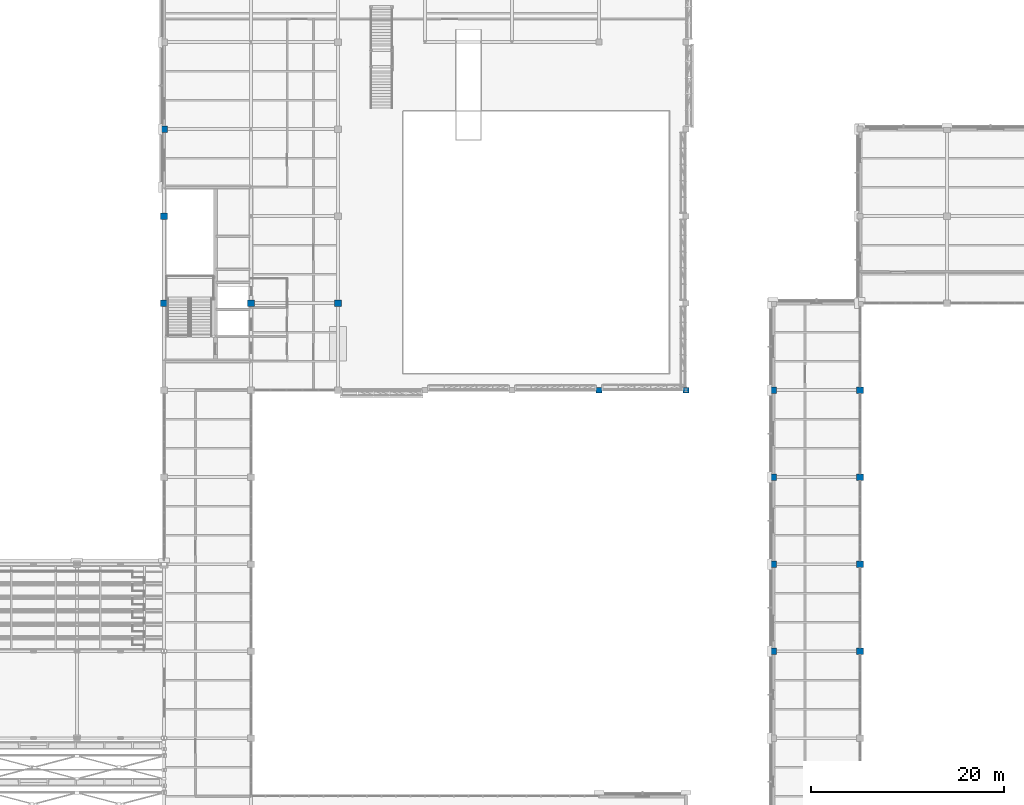
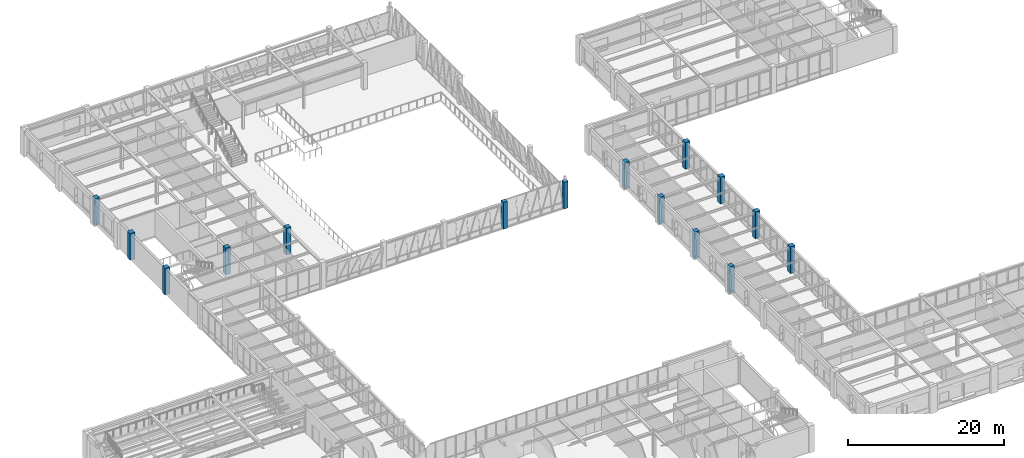
# One storey, part 7 of 108: 15 columns.
"""IFC4 building model written with IfcOpenShell, lengths in metres."""

from ifc_helpers import new_model, si_unit, direction, frame, origin, origin_2d, place, context, subcontext, project, spatial, rectangle, extrude, material, material_profile, profile_set, type_object, element, save


model = new_model("IFC4")

# Units and contexts
model_context = context("Model", 3, precision=1e-05, world=origin(), true_north=direction((0.0, 1.0)))
body_context = subcontext(model_context, "Body", "Model", "MODEL_VIEW")
ifc_project = project(units=[si_unit("LENGTHUNIT", "METRE"), si_unit("AREAUNIT", "SQUARE_METRE"), si_unit("VOLUMEUNIT", "CUBIC_METRE"), si_unit("PLANEANGLEUNIT", "RADIAN"), si_unit("MASSUNIT", "GRAM", prefix="KILO")], contexts=[model_context])

# Site, building, storey
site_placement = place(None, origin())
site = spatial("IfcSite", under=ifc_project, at=site_placement, CompositionType="ELEMENT")
building_placement = place(site_placement, origin())
building = spatial("IfcBuilding", under=site, at=building_placement, Name="Lykobir Media Centre", CompositionType="ELEMENT")
storey_placement = place(building_placement, frame((0.0, 0.0, 15.0)))
storey = spatial("IfcBuildingStorey", under=building, at=storey_placement, Name="L03", CompositionType="ELEMENT", Elevation=15.0)

# Columns
ifc_material = material(Name="Concrete C40/50", Category="concrete")
ifc_material_profile_1 = material_profile(ifc_material, rectangle(XDim=0.60009765625, YDim=0.60009765625, at=origin_2d()), Name="RC 600x600")
ifc_profile_set_1 = profile_set([ifc_material_profile_1], Name="Concrete C40/50")
column_type_1 = type_object("IfcColumnType", Name="RC-C600", PredefinedType="COLUMN", material=ifc_profile_set_1)
column_1_placement = place(storey_placement, frame((72.0, 63.0, 0.0), z_axis=(0.0, 0.0, 1.0), x_axis=(1.0, 0.0, 0.0)))
element("IfcColumn", 1, at=column_1_placement, inside=storey, type_object=column_type_1, Name="Column COL-L03-0720-0630", PredefinedType="COLUMN", context=body_context, shape_type="SweptSolid", body=[
    extrude(rectangle(XDim=0.60009765625, YDim=0.60009765625, at=origin_2d()), origin(), (0.0, 0.0, 1.0), 4.199951171875),
])
ifc_material_profile_2 = material_profile(ifc_material, rectangle(XDim=0.60009765625, YDim=0.60009765625, at=origin_2d()), Name="RC 600x600")
ifc_profile_set_2 = profile_set([ifc_material_profile_2], Name="Concrete C40/50")
column_type_2 = type_object("IfcColumnType", Name="RC-C600-E", PredefinedType="COLUMN", material=ifc_profile_set_2)
column_2_placement = place(storey_placement, frame((81.0, 63.0, 0.0), z_axis=(0.0, 0.0, 1.0), x_axis=(1.0, 0.0, 0.0)))
element("IfcColumn", 2, at=column_2_placement, inside=storey, type_object=column_type_2, Name="Column COL-L03-0810-0630", PredefinedType="COLUMN", context=body_context, shape_type="SweptSolid", body=[
    extrude(rectangle(XDim=0.60009765625, YDim=0.60009765625, at=origin_2d()), origin(), (0.0, 0.0, 1.0), 4.199951171875),
])
ifc_material_profile_3 = material_profile(ifc_material, rectangle(XDim=0.699951171875, YDim=0.699951171875, at=origin_2d()), Name="RC 700x700")
ifc_profile_set_3 = profile_set([ifc_material_profile_3], Name="Concrete C40/50")
column_type_3 = type_object("IfcColumnType", Name="RC-C700", PredefinedType="COLUMN", material=ifc_profile_set_3)
for number, where, z_axis, x_axis, name in (
    (3, (27.0, 72.0, 0.0), (0.0, 0.0, 1.0), (1.0, 0.0, 0.0), "Column COL-L03-0270-0720"),
    (4, (27.0, 81.0, 0.0), (0.0, 0.0, 1.0), (1.0, 0.0, 0.0), "Column COL-L03-0270-0810"),
    (5, (27.0, 90.0, 0.0), (0.0, 0.0, 1.0), (1.0, 0.0, 0.0), "Column COL-L03-0270-0900"),
    (6, (36.0, 72.0, 0.0), (0.0, 0.0, 1.0), (1.0, 0.0, 0.0), "Column COL-L03-0360-0720"),
    (7, (45.0, 72.0, 0.0), (0.0, 0.0, 1.0), (1.0, 0.0, 0.0), "Column COL-L03-0450-0720"),
    (8, (99.0, 36.0, 0.0), (0.0, 0.0, 1.0), (1.0, 0.0, 0.0), "Column COL-L03-0990-0360"),
    (9, (99.0, 45.0, 0.0), (0.0, 0.0, 1.0), (1.0, 0.0, 0.0), "Column COL-L03-0990-0450"),
    (10, (99.0, 54.0, 0.0), (0.0, 0.0, 1.0), (1.0, 0.0, 0.0), "Column COL-L03-0990-0540"),
    (11, (99.0, 63.0, 0.0), (0.0, 0.0, 1.0), (1.0, 0.0, 0.0), "Column COL-L03-0990-0630"),
):
    element("IfcColumn", number, at=place(storey_placement, frame(where, z_axis=z_axis, x_axis=x_axis)), inside=storey, type_object=column_type_3, Name=name, PredefinedType="COLUMN", context=body_context, shape_type="SweptSolid", body=[
        extrude(rectangle(XDim=0.699951171875, YDim=0.699951171875, at=origin_2d()), origin(), (0.0, 0.0, 1.0), 4.199951171875),
    ])
ifc_material_profile_4 = material_profile(ifc_material, rectangle(XDim=0.699951171875, YDim=0.699951171875, at=origin_2d()), Name="RC 700x700")
ifc_profile_set_4 = profile_set([ifc_material_profile_4], Name="Concrete C40/50")
column_type_4 = type_object("IfcColumnType", Name="RC-C700-E", PredefinedType="COLUMN", material=ifc_profile_set_4)
for number, where, z_axis, x_axis, name in (
    (12, (90.0, 36.0, 0.0), (0.0, 0.0, 1.0), (1.0, 0.0, 0.0), "Column COL-L03-0900-0360"),
    (13, (90.0, 45.0, 0.0), (0.0, 0.0, 1.0), (1.0, 0.0, 0.0), "Column COL-L03-0900-0450"),
    (14, (90.0, 54.0, 0.0), (0.0, 0.0, 1.0), (1.0, 0.0, 0.0), "Column COL-L03-0900-0540"),
    (15, (90.0, 63.0, 0.0), (0.0, 0.0, 1.0), (1.0, 0.0, 0.0), "Column COL-L03-0900-0630"),
):
    element("IfcColumn", number, at=place(storey_placement, frame(where, z_axis=z_axis, x_axis=x_axis)), inside=storey, type_object=column_type_4, Name=name, PredefinedType="COLUMN", context=body_context, shape_type="SweptSolid", body=[
        extrude(rectangle(XDim=0.699951171875, YDim=0.699951171875, at=origin_2d()), origin(), (0.0, 0.0, 1.0), 4.199951171875),
    ])

save(model, "model.ifc")
